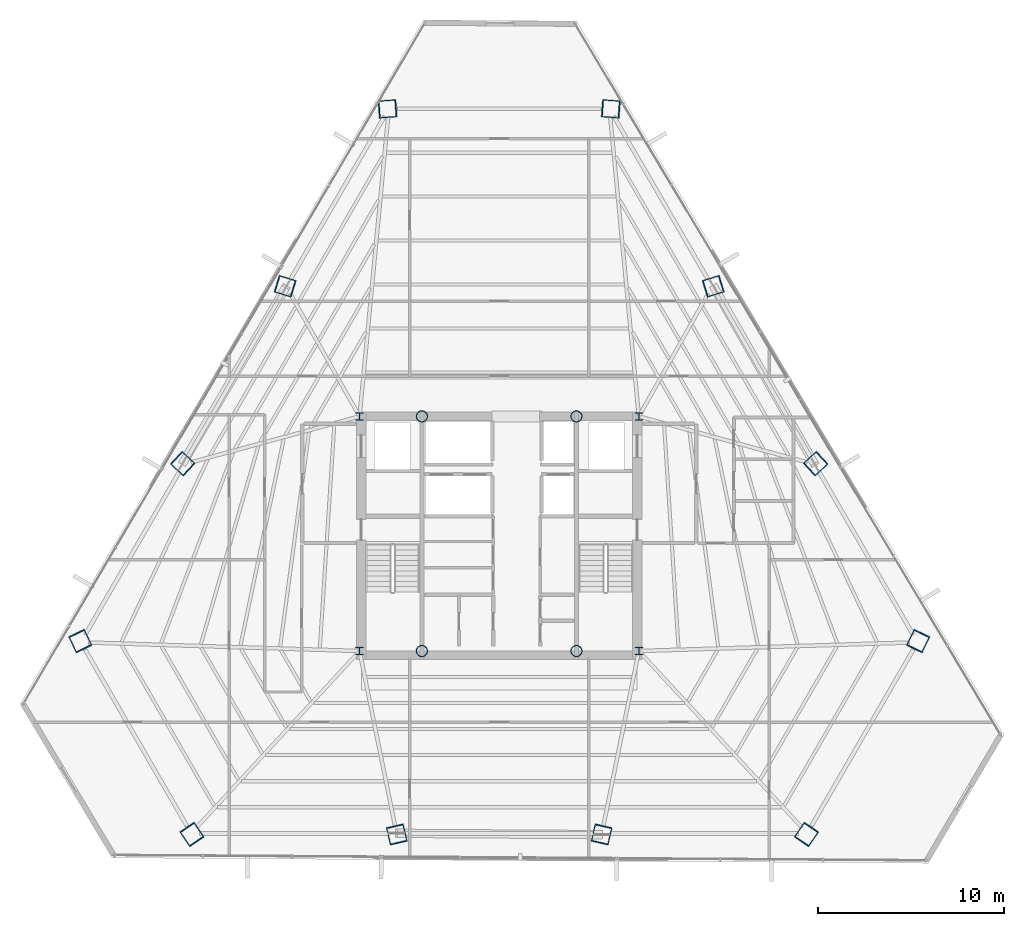
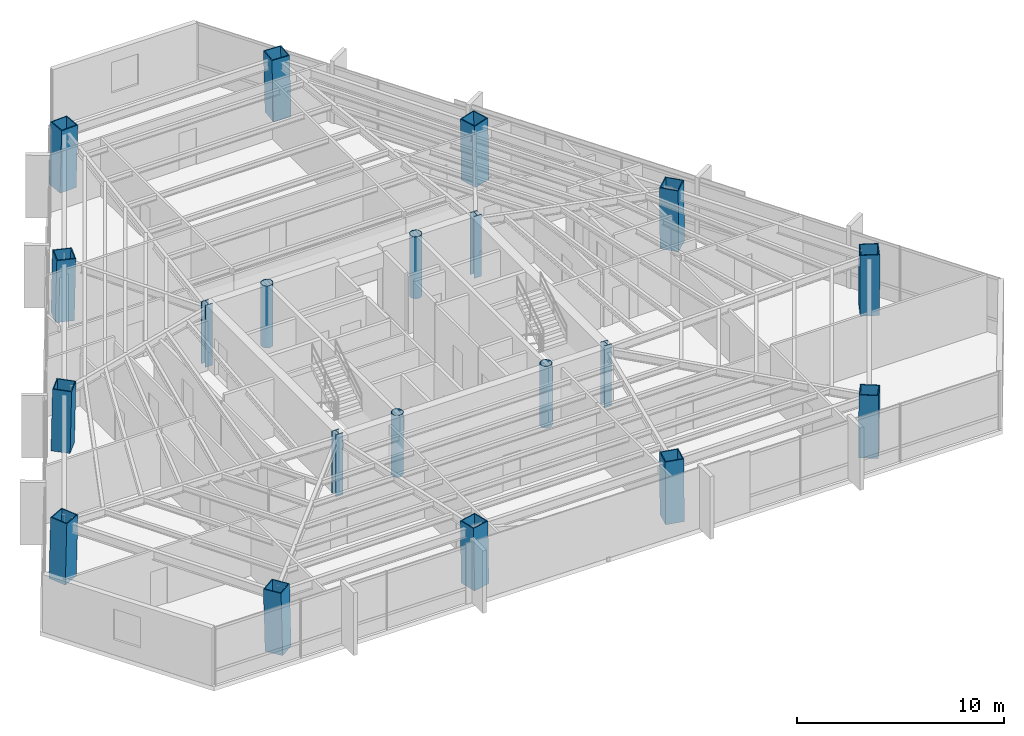
# One storey, part 1 of 41: 20 columns.
"""IFC4 building model written with IfcOpenShell, lengths in metres."""

from ifc_helpers import new_model, si_unit, direction, frame, origin, origin_2d, place, context, subcontext, project, spatial, hollow_rectangle, hollow_circle, i_section, extrude, source, transform, mapped, material, material_profile, profile_set, type_object, type_shapes, element, save


model = new_model("IFC4")

# Units and contexts
model_context = context("Model", 3, precision=1e-05, world=origin(), true_north=direction((0.0, 1.0)))
body_context = subcontext(model_context, "Body", "Model", "MODEL_VIEW")
ifc_project = project(units=[si_unit("LENGTHUNIT", "METRE"), si_unit("AREAUNIT", "SQUARE_METRE"), si_unit("VOLUMEUNIT", "CUBIC_METRE"), si_unit("PLANEANGLEUNIT", "RADIAN"), si_unit("MASSUNIT", "GRAM", prefix="KILO")], contexts=[model_context])

# Site, building, storey
site_placement = place(None, origin())
site = spatial("IfcSite", under=ifc_project, at=site_placement, CompositionType="ELEMENT")
building_placement = place(site_placement, origin())
building = spatial("IfcBuilding", under=site, at=building_placement, Name="Caelisora Broadcast Tower", CompositionType="ELEMENT")
storey_placement = place(building_placement, frame((0.0, 0.0, 165.800048828125)))
storey = spatial("IfcBuildingStorey", under=building, at=storey_placement, Name="L43", CompositionType="ELEMENT", Elevation=165.800048828125)

# Columns
ifc_material_1 = material(Name="Steel Grade 350 (AS/NZS 3679.2)", Category="steel")
ifc_material_profile_1 = material_profile(ifc_material_1, i_section(OverallWidth=0.39990234375, OverallDepth=0.39990234375, WebThickness=0.02001953125, FlangeThickness=0.031982421875, at=origin_2d()), Name="Steel Grade 350 (AS/NZS 3679.2)")
ifc_profile_set_1 = profile_set([ifc_material_profile_1], Name="Steel Grade 350 (AS/NZS 3679.2)")
column_type_1 = type_object("IfcColumnType", Name="CC02", PredefinedType="COLUMN", material=ifc_profile_set_1)
shared_shape_1 = source(origin(), body_context, "Body", "SweptSolid", [
    extrude(i_section(OverallWidth=0.39990234375, OverallDepth=0.39990234375, WebThickness=0.02001953125, FlangeThickness=0.031982421875, at=origin_2d()), origin(), (0.0, 0.0, 1.0), 3.64990234375),
])
type_shapes(column_type_1, [shared_shape_1])
for number, where, z_axis, x_axis, name in (
    (1, (30.5, 17.39990234375, 0.0), (0.0, 0.0, 1.0), (1.0, 0.0, 0.0), "L43 column CC02"),
    (2, (45.5, 17.39990234375, 0.0), (0.0, 0.0, 1.0), (1.0, 0.0, 0.0), "L43 column CC02"),
    (3, (45.5, 30.0, 0.0), (0.0, 0.0, 1.0), (1.0, 0.0, 0.0), "L43 column CC02"),
    (4, (30.5, 30.0, 0.0), (0.0, 0.0, 1.0), (1.0, 0.0, 0.0), "L43 column CC02"),
):
    element("IfcColumn", number, at=place(storey_placement, frame(where, z_axis=z_axis, x_axis=x_axis)), inside=storey, type_object=column_type_1, Name=name, PredefinedType="COLUMN", context=body_context, shape_type="MappedRepresentation", body=[
        mapped(shared_shape_1, transform((0.0, 0.0, 0.0), scale=1.0)),
    ])
ifc_material_2 = material(Name="Steel Grade 350 L15 (AS/NZS 3678)", Category="steel")
ifc_material_profile_2 = material_profile(ifc_material_2, hollow_circle(Radius=0.304931640625, WallThickness=0.02490234375, at=origin_2d()), Name="Steel Grade 350 L15 (AS/NZS 3678)")
ifc_profile_set_2 = profile_set([ifc_material_profile_2], Name="Steel Grade 350 L15 (AS/NZS 3678)")
column_type_2 = type_object("IfcColumnType", Name="CC06", PredefinedType="COLUMN", material=ifc_profile_set_2)
shared_shape_2 = source(origin(), body_context, "Body", "SweptSolid", [
    extrude(hollow_circle(Radius=0.304931640625, WallThickness=0.02490234375, at=origin_2d()), origin(), (0.0, 0.0, 1.0), 3.64990234375),
])
type_shapes(column_type_2, [shared_shape_2])
for number, where, z_axis, x_axis, name in (
    (5, (33.85009765625, 17.39990234375, 0.0), (0.0, 0.0, 1.0), (1.0, 0.0, 0.0), "L43 column CC06"),
    (6, (42.14990234375, 17.39990234375, 0.0), (0.0, 0.0, 1.0), (1.0, 0.0, 0.0), "L43 column CC06"),
    (7, (33.85009765625, 30.0, 0.0), (0.0, 0.0, 1.0), (1.0, 0.0, 0.0), "L43 column CC06"),
    (8, (42.14990234375, 30.0, 0.0), (0.0, 0.0, 1.0), (1.0, 0.0, 0.0), "L43 column CC06"),
):
    element("IfcColumn", number, at=place(storey_placement, frame(where, z_axis=z_axis, x_axis=x_axis)), inside=storey, type_object=column_type_2, Name=name, PredefinedType="COLUMN", context=body_context, shape_type="MappedRepresentation", body=[
        mapped(shared_shape_2, transform((0.0, 0.0, 0.0), scale=1.0)),
    ])
ifc_material_profile_3 = material_profile(ifc_material_2, hollow_rectangle(XDim=0.949951171875, YDim=0.949951171875, WallThickness=0.050048828125, at=origin_2d()), Name="Steel Grade 350 L15 (AS/NZS 3678)")
ifc_profile_set_3 = profile_set([ifc_material_profile_3], Name="Steel Grade 350 L15 (AS/NZS 3678)")
column_type_3 = type_object("IfcColumnType", Name="MC04", PredefinedType="COLUMN", material=ifc_profile_set_3)
shared_shape_3 = source(origin(), body_context, "Body", "SweptSolid", [
    extrude(hollow_rectangle(XDim=0.949951171875, YDim=0.949951171875, WallThickness=0.050048828125, at=origin_2d()), origin(), (0.0, 0.0, 1.0), 3.65087890625),
])
for number, where, z_axis, x_axis, name in (
    (9, (44.01025390625, 46.51513671875, 0.0), (-0.023872756997, 0.001738632162, 0.999713493273), (-0.07263675076, -0.997358462359, 0.0), "L43 column MC04"),
    (10, (31.98974609375, 46.51513671875, 0.0), (0.023872756997, 0.001738632162, 0.999713493273), (-0.07263675076, 0.997358462359, 0.0), "L43 column MC04"),
    (11, (15.49609375, 17.947509765625, 0.0), (0.010431780378, -0.021599135014, 0.999712286273), (0.900476348161, 0.434904985489, 0.0), "L43 column MC04"),
    (12, (21.50634765625, 7.537353515625, 0.0), (-0.013440967269, 0.019793663242, 0.999713734673), (-0.827290216258, -0.561774775229, 0.0), "L43 column MC04"),
    (13, (54.49365234375, 7.537353515625, 0.0), (0.013440967269, 0.019793663242, 0.999713734673), (-0.827290216258, 0.561774775229, 0.0), "L43 column MC04"),
    (14, (60.50390625, 17.947509765625, 0.0), (-0.010431780378, -0.021599135014, 0.999712286273), (0.900476348161, -0.434904985489, 0.0), "L43 column MC04"),
):
    element("IfcColumn", number, at=place(storey_placement, frame(where, z_axis=z_axis, x_axis=x_axis)), inside=storey, type_object=column_type_3, Name=name, PredefinedType="COLUMN", context=body_context, shape_type="MappedRepresentation", body=[
        mapped(shared_shape_3, transform((0.0, 0.0, 0.0), scale=1.0)),
    ])
shared_shape_4 = source(origin(), body_context, "Body", "SweptSolid", [
    extrude(hollow_rectangle(XDim=0.949951171875, YDim=0.949951171875, WallThickness=0.050048828125, at=origin_2d()), origin(), (0.0, 0.0, 1.0), 3.650634765625),
])
type_shapes(column_type_3, [shared_shape_3, shared_shape_4])
for number, where, z_axis, x_axis, name in (
    (15, (26.491943359375, 36.99267578125, 0.0), (0.019393993486, -0.006018825565, 0.999793802119), (0.296399214872, 0.955064136811, 0.0), "L43 column MC04"),
    (16, (20.993896484375, 27.469970703125, 0.0), (0.014913313399, -0.013776424037, 0.999793880369), (0.678553674548, 0.734550822447, 0.0), "L43 column MC04"),
    (17, (32.502197265625, 7.537353515625, 0.0), (-0.004547556686, 0.019795246753, 0.99979371269), (-0.974612694662, -0.223897510936, 0.0), "L43 column MC04"),
    (18, (43.497802734375, 7.537353515625, 0.0), (0.004547556686, 0.019795246753, 0.99979371269), (-0.974612694662, 0.223897510936, 0.0), "L43 column MC04"),
    (19, (55.006103515625, 27.469970703125, 0.0), (-0.014913313399, -0.013776424037, 0.999793880369), (0.678553674548, -0.734550822447, 0.0), "L43 column MC04"),
    (20, (49.508056640625, 36.99267578125, 0.0), (-0.019393993486, -0.006018825565, 0.999793802119), (0.296399214872, -0.955064136811, 0.0), "L43 column MC04"),
):
    element("IfcColumn", number, at=place(storey_placement, frame(where, z_axis=z_axis, x_axis=x_axis)), inside=storey, type_object=column_type_3, Name=name, PredefinedType="COLUMN", context=body_context, shape_type="MappedRepresentation", body=[
        mapped(shared_shape_4, transform((0.0, 0.0, 0.0), scale=1.0)),
    ])

save(model, "model.ifc")
